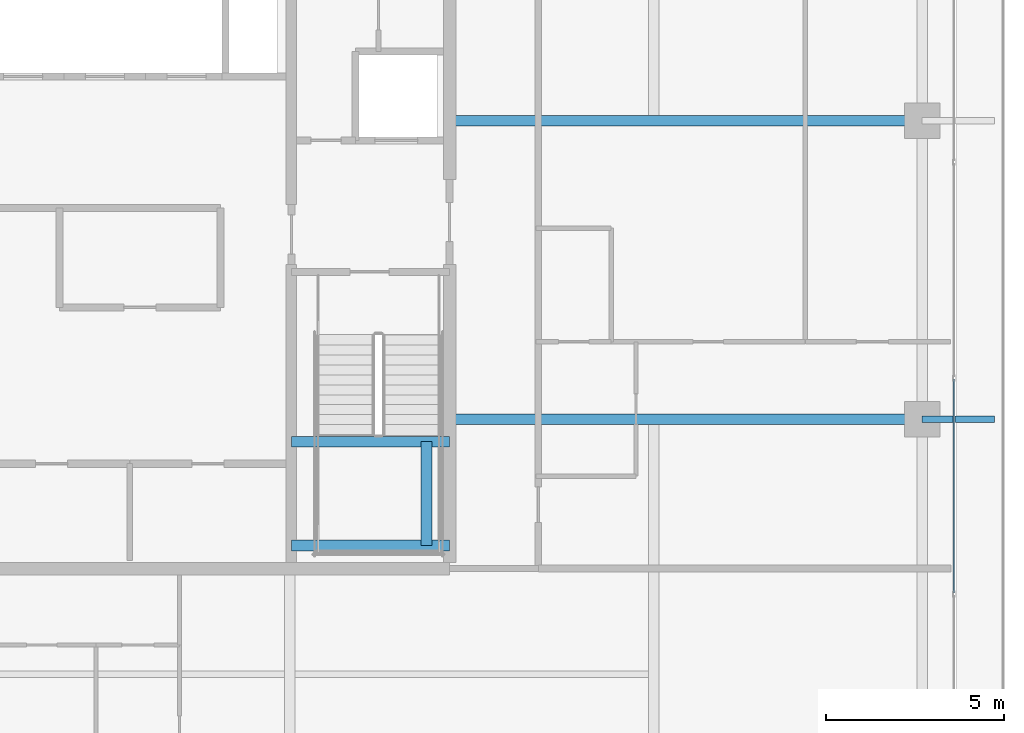
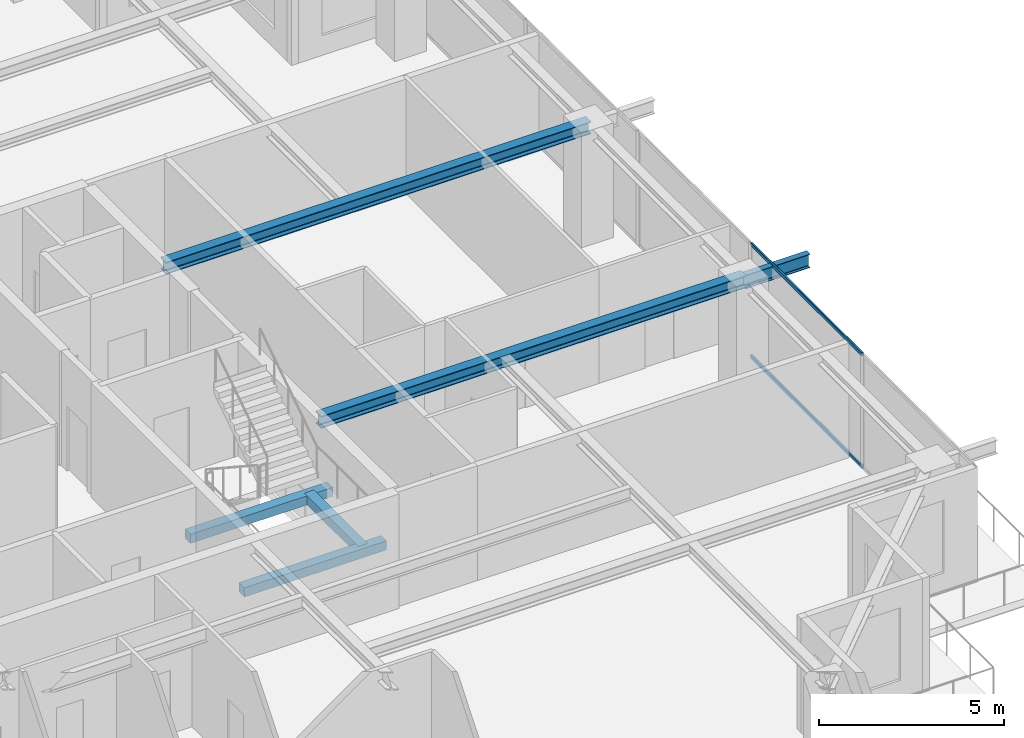
# One storey, part 14 of 37: 6 beams, 2 members, 1 element without a shape of its own.
"""IFC4 building model written with IfcOpenShell, lengths in metres."""

import ifcopenshell
import ifcopenshell.guid

model = None  # the IFC model being written
_history = None  # IfcOwnerHistory: only IFC2X3 demands one
_inside = {}  # id of a spatial element -> (the spatial element, [elements in it])
_under = {}  # id of a project, library or spatial element -> (it, [spatial elements below it])
_declared = {}  # id of a project -> (the project, [libraries it declares])
_typed = {}  # id of a type object -> (the type object, [elements of that type])
_made_of = {}  # id of a material, layer set ... -> (it, [elements and type objects made of it])


def new_model(schema):
    """Start an empty IFC model of exactly this schema.

    Asked for "IFC4X3", IfcOpenShell would pick the latest addendum, in which some entities
    have other attributes; the version numbers below select the first issue.
    IFC2X3 requires an IfcOwnerHistory on every rooted entity: one is made here for all.
    """
    global model, _history
    if schema == "IFC4X3":
        model = ifcopenshell.file(schema_version=(4, 3, 0, 0))
    else:
        model = ifcopenshell.file(schema=schema)
    _inside.clear()
    _under.clear()
    _declared.clear()
    _typed.clear()
    _made_of.clear()
    _history = None
    if model.schema == "IFC2X3":
        org = make("IfcOrganization", Name="unknown")
        user = make(
            "IfcPersonAndOrganization",
            ThePerson=make("IfcPerson", FamilyName="unknown"),
            TheOrganization=org,
        )
        app = make(
            "IfcApplication",
            ApplicationDeveloper=org,
            Version="unknown",
            ApplicationFullName="unknown",
            ApplicationIdentifier="unknown",
        )
        _history = make(
            "IfcOwnerHistory",
            OwningUser=user,
            OwningApplication=app,
            ChangeAction="ADDED",
            CreationDate=0,
        )
    return model


def make(cls, **values):
    """One entity of the class cls with the attributes given. An attribute that is None is left unset."""
    return model.create_entity(
        cls, **{name: value for name, value in values.items() if value is not None}
    )


def rooted(cls, **values):
    """An entity with a GlobalId (a new one), such as an element, a storey or a relation."""
    return make(cls, GlobalId=ifcopenshell.guid.new(), OwnerHistory=_history, **values)


def si_unit(unit_type, name, prefix=None):
    """IfcSIUnit, for example si_unit("LENGTHUNIT", "METRE", prefix="MILLI")."""
    return make("IfcSIUnit", UnitType=unit_type, Prefix=prefix, Name=name)


def assignment(units):
    """IfcUnitAssignment: the units of a project."""
    return None if units is None else make("IfcUnitAssignment", Units=units)


def point(xyz):
    """IfcCartesianPoint."""
    return None if xyz is None else make("IfcCartesianPoint", Coordinates=xyz)


def direction(xyz):
    """IfcDirection."""
    return None if xyz is None else make("IfcDirection", DirectionRatios=xyz)


def frame(location, z_axis=None, x_axis=None):
    """IfcAxis2Placement3D, a coordinate frame: its origin and axes. An axis left out is left unset."""
    return make(
        "IfcAxis2Placement3D",
        Location=point(location),
        Axis=direction(z_axis),
        RefDirection=direction(x_axis),
    )


def frame_2d(location, x_axis=None):
    """IfcAxis2Placement2D, a coordinate frame in the plane: its origin and x axis."""
    return make(
        "IfcAxis2Placement2D", Location=point(location), RefDirection=direction(x_axis)
    )


def origin():
    """The frame at (0, 0, 0) with its axes left unset."""
    return frame((0.0, 0.0, 0.0))


def origin_2d():
    """The frame at (0, 0) in the plane with its x axis left unset."""
    return frame_2d((0.0, 0.0))


def place(relative_to, where):
    """IfcLocalPlacement: puts the frame where relative to a parent placement (None: the world)."""
    return make(
        "IfcLocalPlacement", PlacementRelTo=relative_to, RelativePlacement=where
    )


def context(
    kind, dimensions, precision=None, world=None, true_north=None, identifier=None
):
    """IfcGeometricRepresentationContext, for example the 3D "Model" context."""
    return make(
        "IfcGeometricRepresentationContext",
        ContextIdentifier=identifier,
        ContextType=kind,
        CoordinateSpaceDimension=dimensions,
        Precision=precision,
        WorldCoordinateSystem=world,
        TrueNorth=true_north,
    )


def subcontext(parent, identifier, kind, view, scale=None):
    """IfcGeometricRepresentationSubContext, for example "Body" below "Model"."""
    return make(
        "IfcGeometricRepresentationSubContext",
        ContextIdentifier=identifier,
        ContextType=kind,
        ParentContext=parent,
        TargetScale=scale,
        TargetView=view,
    )


def project(units=None, contexts=None):
    """IfcProject with its units and contexts."""
    return rooted(
        "IfcProject",
        Name="project",
        RepresentationContexts=contexts,
        UnitsInContext=assignment(units),
    )


def spatial(cls, under=None, at=None, **own):
    """A site, building, storey or space (cls), placed at a placement, below another one or the project."""
    s = rooted(cls, ObjectPlacement=at, **own)
    if under is not None:
        _under.setdefault(under.id(), (under, []))[1].append(s)
    return s


def profile(cls, at=None, kind="AREA", **sizes):
    """A parametric profile (cls). Its sizes go by their IFC names, for example OverallWidth=200.0."""
    return make(cls, ProfileType=kind, Position=at, **sizes)


def rectangle(**sizes):
    """IfcRectangleProfileDef."""
    return profile("IfcRectangleProfileDef", **sizes)


def hollow_rectangle(**sizes):
    """IfcRectangleHollowProfileDef."""
    return profile("IfcRectangleHollowProfileDef", **sizes)


def i_section(**sizes):
    """IfcIShapeProfileDef."""
    return profile("IfcIShapeProfileDef", **sizes)


def extrude(swept, where, along, depth):
    """IfcExtrudedAreaSolid: the profile swept, set in the frame where, extruded along a direction by depth."""
    return make(
        "IfcExtrudedAreaSolid",
        SweptArea=swept,
        Position=where,
        ExtrudedDirection=direction(along),
        Depth=depth,
    )


def shape(context_of_items, identifier, shape_type, items):
    """IfcShapeRepresentation: the items that make up one representation, for example the "Body"."""
    return make(
        "IfcShapeRepresentation",
        ContextOfItems=context_of_items,
        RepresentationIdentifier=identifier,
        RepresentationType=shape_type,
        Items=items,
    )


def source(mapping_origin, context_of_items, identifier, shape_type, items):
    """IfcRepresentationMap: a shape defined once, which mapped items show again and again."""
    return make(
        "IfcRepresentationMap",
        MappingOrigin=mapping_origin,
        MappedRepresentation=shape(context_of_items, identifier, shape_type, items),
    )


def transform(
    local_origin,
    x_axis=None,
    y_axis=None,
    z_axis=None,
    scale=None,
    scale2=None,
    scale3=None,
    uniform=True,
):
    """IfcCartesianTransformationOperator3D, or its non-uniform kind. x_axis, y_axis, z_axis: its Axis1, 2, 3."""
    if uniform:
        return make(
            "IfcCartesianTransformationOperator3D",
            Axis1=direction(x_axis),
            Axis2=direction(y_axis),
            LocalOrigin=point(local_origin),
            Scale=scale,
            Axis3=direction(z_axis),
        )
    return make(
        "IfcCartesianTransformationOperator3DnonUniform",
        Axis1=direction(x_axis),
        Axis2=direction(y_axis),
        LocalOrigin=point(local_origin),
        Scale=scale,
        Axis3=direction(z_axis),
        Scale2=scale2,
        Scale3=scale3,
    )


def mapped(mapping_source, mapping_target):
    """IfcMappedItem: shows the shape of a source again, moved by a transform."""
    return make(
        "IfcMappedItem", MappingSource=mapping_source, MappingTarget=mapping_target
    )


def material(Name=None, Category=None):
    """IfcMaterial."""
    return make("IfcMaterial", Name=Name, Category=Category)


def layer(
    of_material, thickness, ventilated=None, Name=None, Category=None, Priority=None
):
    """IfcMaterialLayer: one layer of a wall or slab, of a material (None: an air gap)."""
    return make(
        "IfcMaterialLayer",
        Material=of_material,
        LayerThickness=thickness,
        IsVentilated=ventilated,
        Name=Name,
        Category=Category,
        Priority=Priority,
    )


def layer_set(layers, Name=None):
    """IfcMaterialLayerSet."""
    return make("IfcMaterialLayerSet", MaterialLayers=layers, LayerSetName=Name)


def material_profile(
    of_material, cross_section, Name=None, Category=None, Priority=None
):
    """IfcMaterialProfile: a cross section and its material."""
    return make(
        "IfcMaterialProfile",
        Name=Name,
        Material=of_material,
        Profile=cross_section,
        Priority=Priority,
        Category=Category,
    )


def profile_set(profiles, Name=None, composite=None):
    """IfcMaterialProfileSet."""
    return make(
        "IfcMaterialProfileSet",
        Name=Name,
        MaterialProfiles=profiles,
        CompositeProfile=composite,
    )


def made_of(thing, what):
    """Note that an element or type object is made of a material, layer set ...; save() writes the relation."""
    if what is not None:
        _made_of.setdefault(what.id(), (what, []))[1].append(thing)
    return thing


def type_object(cls, material=None, **own):
    """A type object (cls), such as IfcWallType, which elements share."""
    return made_of(rooted(cls, **own), material)


def element(
    cls,
    number,
    at=None,
    inside=None,
    cuts=None,
    type_object=None,
    material=None,
    context=None,
    identifier="Body",
    shape_type=None,
    held_by="IfcProductDefinitionShape",
    body=None,
    shapes=None,
    **own,
):
    """One element of the class cls, such as IfcWall. Its Tag is "e" and its number.

    at: its placement. inside: the storey or other place that contains it. cuts: it is an
    opening in that element (IfcRelVoidsElement). A single representation is given by context,
    identifier, shape_type and body (its items); several are given by shapes. held_by: the class
    of the entity that holds the representations. save() writes the other relations.
    """
    e = rooted(cls, Tag="e%d" % number, ObjectPlacement=at, **own)
    if body is not None:
        shapes = [shape(context, identifier, shape_type, body)]
    if shapes is not None:
        e.Representation = make(held_by, Representations=shapes)
    if inside is not None:
        _inside.setdefault(inside.id(), (inside, []))[1].append(e)
    if cuts is not None:
        rooted(
            "IfcRelVoidsElement", RelatingBuildingElement=cuts, RelatedOpeningElement=e
        )
    if type_object is not None:
        _typed.setdefault(type_object.id(), (type_object, []))[1].append(e)
    return made_of(e, material)


def aggregate(whole, parts):
    """IfcRelAggregates: a whole, such as a stair, and the parts it consists of."""
    return rooted("IfcRelAggregates", RelatingObject=whole, RelatedObjects=parts)


def save(model, path):
    """Write the relations noted so far, then the file.

    IfcRelAggregates (storeys below a building ...), IfcRelContainedInSpatialStructure (elements
    in a storey), IfcRelDefinesByType, IfcRelAssociatesMaterial and IfcRelDeclares: one each for
    every whole, place, type object, material and project.
    """
    for whole, parts in _under.values():
        aggregate(whole, parts)
    for where, things in _inside.values():
        rooted(
            "IfcRelContainedInSpatialStructure",
            RelatedElements=things,
            RelatingStructure=where,
        )
    for kind, things in _typed.values():
        rooted("IfcRelDefinesByType", RelatedObjects=things, RelatingType=kind)
    for what, things in _made_of.values():
        rooted("IfcRelAssociatesMaterial", RelatedObjects=things, RelatingMaterial=what)
    for by, libraries in _declared.values():
        rooted("IfcRelDeclares", RelatingContext=by, RelatedDefinitions=libraries)
    model.write(path)


model = new_model("IFC4")

# Units and contexts
model_context = context("Model", 3, precision=1e-05, world=origin(), true_north=direction((0.0, 1.0)))
body_context = subcontext(model_context, "Body", "Model", "MODEL_VIEW")
ifc_project = project(units=[si_unit("LENGTHUNIT", "METRE"), si_unit("AREAUNIT", "SQUARE_METRE"), si_unit("VOLUMEUNIT", "CUBIC_METRE"), si_unit("PLANEANGLEUNIT", "RADIAN"), si_unit("MASSUNIT", "GRAM", prefix="KILO")], contexts=[model_context])

# Site, building, storey
site_placement = place(None, origin())
site = spatial("IfcSite", under=ifc_project, at=site_placement, CompositionType="ELEMENT")
building_placement = place(site_placement, origin())
building = spatial("IfcBuilding", under=site, at=building_placement, Name="Serunith Strait Residences", CompositionType="ELEMENT")
storey_placement = place(building_placement, frame((0.0, 0.0, 317.75)))
storey = spatial("IfcBuildingStorey", under=building, at=storey_placement, Name="L79", CompositionType="ELEMENT", Elevation=317.75)

# Beams
ifc_material_1 = material(Name="Steel S355J2", Category="steel")
ifc_material_profile_1 = material_profile(ifc_material_1, i_section(OverallWidth=0.300048828125, OverallDepth=0.39990234375, WebThickness=0.013427734375, FlangeThickness=0.02392578125, FilletRadius=0.027099609375, at=origin_2d()), Name="HEB 400")
ifc_profile_set_1 = profile_set([ifc_material_profile_1], Name="Steel S355J2")
beam_type_1 = type_object("IfcBeamType", Name="BM-HEB400", PredefinedType="BEAM", material=ifc_profile_set_1)
shared_shape_1 = source(origin(), body_context, "Body", "SweptSolid", [
    extrude(i_section(OverallWidth=0.300048828125, OverallDepth=0.39990234375, WebThickness=0.013427734375, FlangeThickness=0.02392578125, FilletRadius=0.027099609375, at=origin_2d()), origin(), (0.0, 0.0, 1.0), 13.300048828125),
])
for number, where, z_axis, x_axis, name in (
    (1, (41.39990234375, 21.0, 3.5869140625), (1.0, 0.0, 0.0), (0.0, 1.0, 0.0), "L79 Primary Floor Girder TC-E2"),
    (2, (41.39990234375, 29.39990234375, 3.5869140625), (1.0, 0.0, 0.0), (0.0, 1.0, 0.0), "L79 Primary Floor Girder TC-E3"),
):
    element("IfcBeam", number, at=place(storey_placement, frame(where, z_axis=z_axis, x_axis=x_axis)), inside=storey, type_object=beam_type_1, Name=name, PredefinedType="BEAM", context=body_context, shape_type="MappedRepresentation", body=[
        mapped(shared_shape_1, transform((0.0, 0.0, 0.0), scale=1.0)),
    ])
ifc_material_profile_2 = material_profile(ifc_material_1, i_section(OverallWidth=0.18994140625, OverallDepth=0.449951171875, WebThickness=0.009521484375, FlangeThickness=0.0146484375, FilletRadius=0.02099609375, at=origin_2d()), Name="IPE 450")
ifc_profile_set_2 = profile_set([ifc_material_profile_2], Name="Steel S355J2")
beam_type_2 = type_object("IfcBeamType", Name="BM-IPE450", PredefinedType="JOIST", material=ifc_profile_set_2)
shared_shape_2 = source(origin(), body_context, "Body", "SweptSolid", [
    extrude(i_section(OverallWidth=0.18994140625, OverallDepth=0.449951171875, WebThickness=0.009521484375, FlangeThickness=0.0146484375, FilletRadius=0.02099609375, at=origin_2d()), origin(), (0.0, 0.0, 1.0), 2.030029296875),
])
beam_1_placement = place(storey_placement, frame((54.699951171875, 21.0, 3.531982421875), z_axis=(1.0, 0.0, 0.0), x_axis=(0.0, 1.0, 0.0)))
element("IfcBeam", 3, at=beam_1_placement, inside=storey, type_object=beam_type_2, Name="L80 Cantilevered Balcony Rib TC-E2", PredefinedType="JOIST", context=body_context, shape_type="MappedRepresentation", body=[
    mapped(shared_shape_2, transform((0.0, 0.0, 0.0), scale=1.0)),
])
ifc_material_2 = material(Name="Concrete C60/75", Category="concrete")
ifc_material_profile_3 = material_profile(ifc_material_2, rectangle(XDim=0.300048828125, YDim=0.300048828125, at=origin_2d()), Name="RC 300x300")
ifc_profile_set_3 = profile_set([ifc_material_profile_3], Name="Concrete C60/75")
beam_type_3 = type_object("IfcBeamType", Name="BM-LAND-300x300", PredefinedType="BEAM", material=ifc_profile_set_3)
shared_shape_3 = source(origin(), body_context, "Body", "SweptSolid", [
    extrude(rectangle(XDim=0.300048828125, YDim=0.300048828125, at=origin_2d()), origin(), (0.0, 0.0, 1.0), 4.449951171875),
])
for number, where, z_axis, x_axis, name in (
    (4, (36.949951171875, 17.449951171875, 1.675048828125), (1.0, 0.0, 0.0), (0.0, 1.0, 0.0), "L79 ST-2 Landing Support Beam 1"),
    (5, (36.949951171875, 20.3701171875, 1.675048828125), (1.0, 0.0, 0.0), (0.0, 1.0, 0.0), "L79 ST-2 Landing Support Beam 2"),
):
    element("IfcBeam", number, at=place(storey_placement, frame(where, z_axis=z_axis, x_axis=x_axis)), inside=storey, type_object=beam_type_3, Name=name, PredefinedType="BEAM", context=body_context, shape_type="MappedRepresentation", body=[
        mapped(shared_shape_3, transform((0.0, 0.0, 0.0), scale=1.0)),
    ])
shared_shape_4 = source(origin(), body_context, "Body", "SweptSolid", [
    extrude(rectangle(XDim=0.300048828125, YDim=0.300048828125, at=origin_2d()), origin(), (0.0, 0.0, 1.0), 2.920166015625),
])
beam_2_placement = place(storey_placement, frame((40.75, 17.449951171875, 1.675048828125), z_axis=(0.0, 1.0, 0.0), x_axis=(-1.0, 0.0, 0.0)))
element("IfcBeam", 6, at=beam_2_placement, inside=storey, type_object=beam_type_3, Name="L79 ST-2 Landing Transverse Tie Beam", PredefinedType="BEAM", context=body_context, shape_type="MappedRepresentation", body=[
    mapped(shared_shape_4, transform((0.0, 0.0, 0.0), scale=1.0)),
])

# Curtain wall, members
ifc_material_3 = material(Name="Brushed Stainless-Silver Aluminium", Category="aluminium")
ifc_layer = layer(ifc_material_3, 0.199951171875, Name="Brushed Stainless-Silver Aluminium")
ifc_layer_set = layer_set([ifc_layer], Name="Brushed Stainless-Silver Aluminium")
curtain_wall_type = type_object("IfcCurtainWallType", Name="CW-SYS5", PredefinedType="NOTDEFINED", material=ifc_layer_set)
curtain_wall_placement = place(storey_placement, origin())
curtain_wall = element("IfcCurtainWall", 7, at=curtain_wall_placement, inside=storey, type_object=curtain_wall_type, Name="L79 E Unitised Fritted Curtain Wall", PredefinedType="NOTDEFINED")
ifc_material_profile_4 = material_profile(ifc_material_3, hollow_rectangle(XDim=0.06005859375, YDim=0.1201171875, WallThickness=0.00341796875, InnerFilletRadius=0.00537109375, OuterFilletRadius=0.0087890625, at=origin_2d()), Name="ALU 120x60x3.5")
ifc_profile_set_4 = profile_set([ifc_material_profile_4], Name="Brushed Stainless-Silver Aluminium")
member_type = type_object("IfcMemberType", Name="CW-SYS5-TRAN", PredefinedType="USERDEFINED", material=ifc_profile_set_4)
shared_shape_5 = source(origin(), body_context, "Body", "SweptSolid", [
    extrude(hollow_rectangle(XDim=0.06005859375, YDim=0.1201171875, WallThickness=0.00341796875, InnerFilletRadius=0.00537109375, OuterFilletRadius=0.0087890625, at=origin_2d()), origin(), (0.0, 0.0, 1.0), 6.014892578125),
])
member_1_placement = place(storey_placement, frame((55.60009765625, 16.112548828125, 0.030029296875), z_axis=(0.0, 1.0, 0.0), x_axis=(-1.0, 0.0, 0.0)))
member_1 = element("IfcMember", 8, at=member_1_placement, type_object=member_type, Name="CW-5 transom 2.1", ObjectType="TRANSOM", PredefinedType="USERDEFINED", context=body_context, shape_type="MappedRepresentation", body=[
    mapped(shared_shape_5, transform((0.0, 0.0, 0.0), scale=1.0)),
])
member_2_placement = place(storey_placement, frame((55.60009765625, 16.112548828125, 3.7451171875), z_axis=(0.0, 1.0, 0.0), x_axis=(-1.0, 0.0, 0.0)))
member_2 = element("IfcMember", 9, at=member_2_placement, type_object=member_type, Name="CW-5 transom 2.2", ObjectType="TRANSOM", PredefinedType="USERDEFINED", context=body_context, shape_type="MappedRepresentation", body=[
    mapped(shared_shape_5, transform((0.0, 0.0, 0.0), scale=1.0)),
])
aggregate(curtain_wall, [member_1, member_2])

save(model, "model.ifc")
